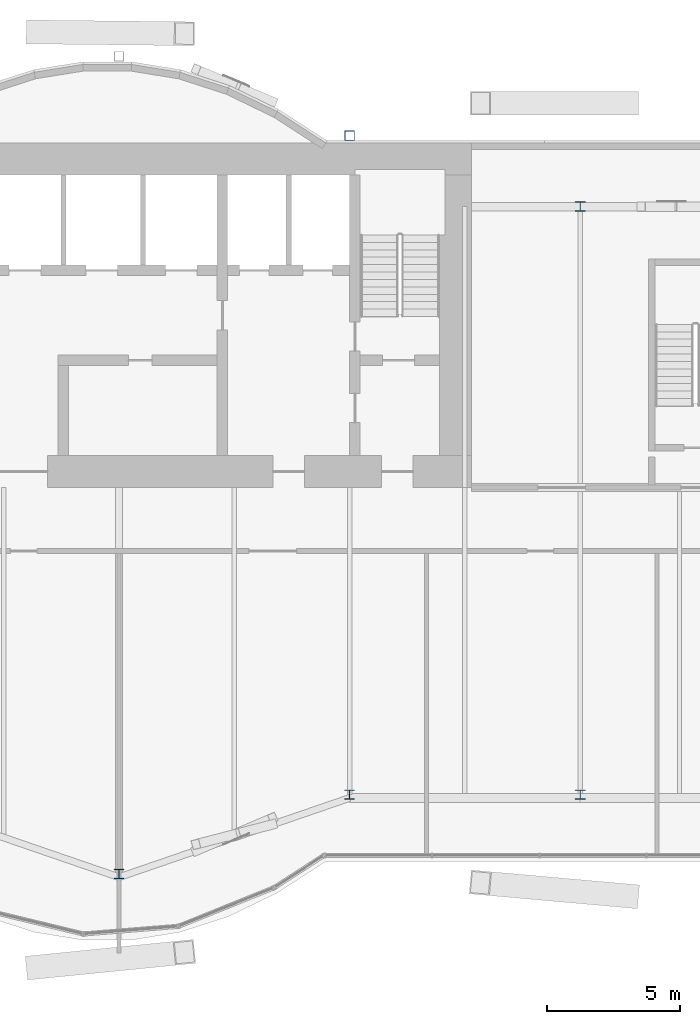
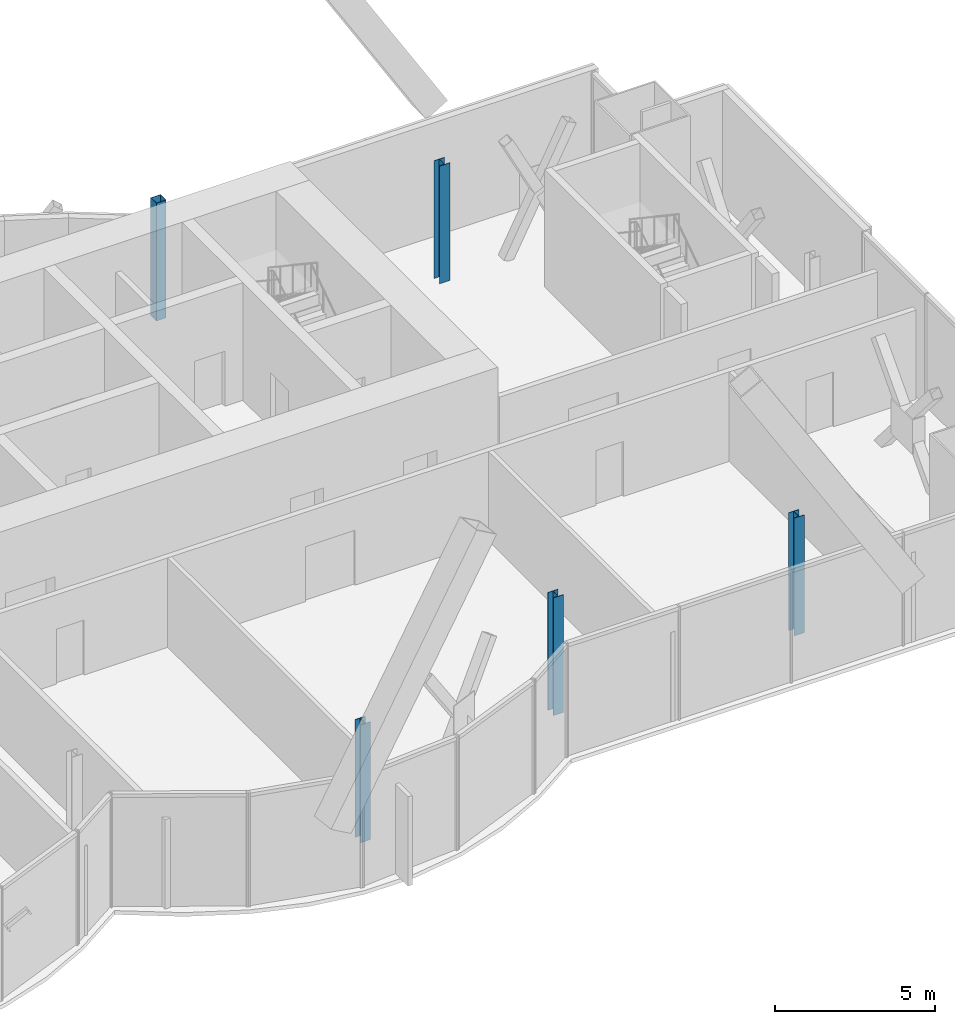
# One storey, part 2 of 19: 5 columns.
"""IFC4 building model written with IfcOpenShell, lengths in metres."""

from ifc_helpers import new_model, si_unit, direction, frame, origin, origin_2d, place, context, subcontext, project, spatial, hollow_rectangle, i_section, extrude, material, material_profile, profile_set, type_object, element, save


model = new_model("IFC4")

# Units and contexts
model_context = context("Model", 3, precision=1e-05, world=origin(), true_north=direction((0.0, 1.0)))
body_context = subcontext(model_context, "Body", "Model", "MODEL_VIEW")
ifc_project = project(units=[si_unit("LENGTHUNIT", "METRE"), si_unit("AREAUNIT", "SQUARE_METRE"), si_unit("VOLUMEUNIT", "CUBIC_METRE"), si_unit("PLANEANGLEUNIT", "RADIAN"), si_unit("MASSUNIT", "GRAM", prefix="KILO")], contexts=[model_context])

# Site, building, storey
site_placement = place(None, origin())
site = spatial("IfcSite", under=ifc_project, at=site_placement, CompositionType="ELEMENT")
building_placement = place(site_placement, origin())
building = spatial("IfcBuilding", under=site, at=building_placement, Name="Bicima Exchange Tower", CompositionType="ELEMENT")
storey_placement = place(building_placement, frame((0.0, 0.0, 297.5)))
storey = spatial("IfcBuildingStorey", under=building, at=storey_placement, Name="L67", CompositionType="ELEMENT", Elevation=297.5)

# Columns
ifc_material_1 = material(Name="Steel ASTM A992 Gr 50", Category="steel")
ifc_material_profile_1 = material_profile(ifc_material_1, i_section(OverallWidth=0.368408203125, OverallDepth=0.355712890625, WebThickness=0.01123046875, FlangeThickness=0.01806640625, at=origin_2d()))
ifc_profile_set_1 = profile_set([ifc_material_profile_1], Name="Steel ASTM A992 Gr 50")
column_type_1 = type_object("IfcColumnType", Name="Perimeter column W14x90", PredefinedType="COLUMN", material=ifc_profile_set_1)
for number, where, z_axis, x_axis, name in (
    (1, (8.699951171875, -27.585205078125, 0.0), (0.0, 0.0, 1.0), (1.0, 0.0, 0.0), "Perimeter column grav+8.7f"),
    (2, (17.39990234375, -24.593994140625, 0.0), (0.0, 0.0, 1.0), (1.0, 0.0, 0.0), "Perimeter column grav+17.4f"),
    (3, (26.10009765625, -24.593994140625, 0.0), (0.0, 0.0, 1.0), (1.0, 0.0, 0.0), "Perimeter column grav+26.1f"),
    (4, (26.10009765625, -2.39990234375, 0.0), (0.0, 0.0, 1.0), (1.0, 0.0, 0.0), "Perimeter column grav+26.1r"),
):
    element("IfcColumn", number, at=place(storey_placement, frame(where, z_axis=z_axis, x_axis=x_axis)), inside=storey, type_object=column_type_1, Name=name, PredefinedType="COLUMN", context=body_context, shape_type="SweptSolid", body=[
        extrude(i_section(OverallWidth=0.368408203125, OverallDepth=0.355712890625, WebThickness=0.01123046875, FlangeThickness=0.01806640625, at=origin_2d()), origin(), (0.0, 0.0, 1.0), 4.5),
    ])
ifc_material_2 = material(Name="Steel ASTM A572 Gr 50", Category="steel")
ifc_material_profile_2 = material_profile(ifc_material_2, hollow_rectangle(XDim=0.355712890625, YDim=0.355712890625, WallThickness=0.01171875, at=origin_2d()))
ifc_profile_set_2 = profile_set([ifc_material_profile_2], Name="Steel ASTM A572 Gr 50")
column_type_2 = type_object("IfcColumnType", Name="Rear pilaster HSS14x14x1/2", PredefinedType="COLUMN", material=ifc_profile_set_2)
column_placement = place(storey_placement, frame((17.39990234375, 0.278076171875, 0.0), z_axis=(0.0, 0.0, 1.0), x_axis=(1.0, 0.0, 0.0)))
element("IfcColumn", 5, at=column_placement, inside=storey, type_object=column_type_2, Name="Rear pilaster rexo+17.4r", PredefinedType="COLUMN", context=body_context, shape_type="SweptSolid", body=[
    extrude(hollow_rectangle(XDim=0.355712890625, YDim=0.355712890625, WallThickness=0.01171875, at=origin_2d()), origin(), (0.0, 0.0, 1.0), 4.5),
])

save(model, "model.ifc")
